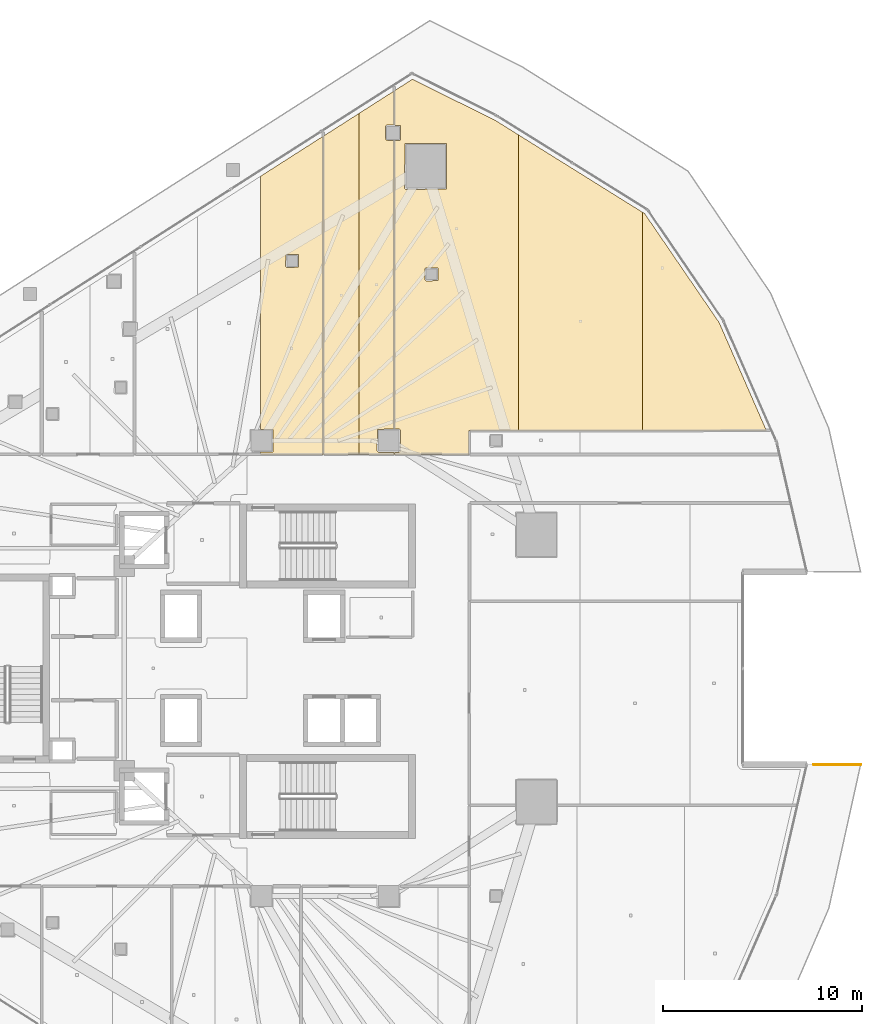
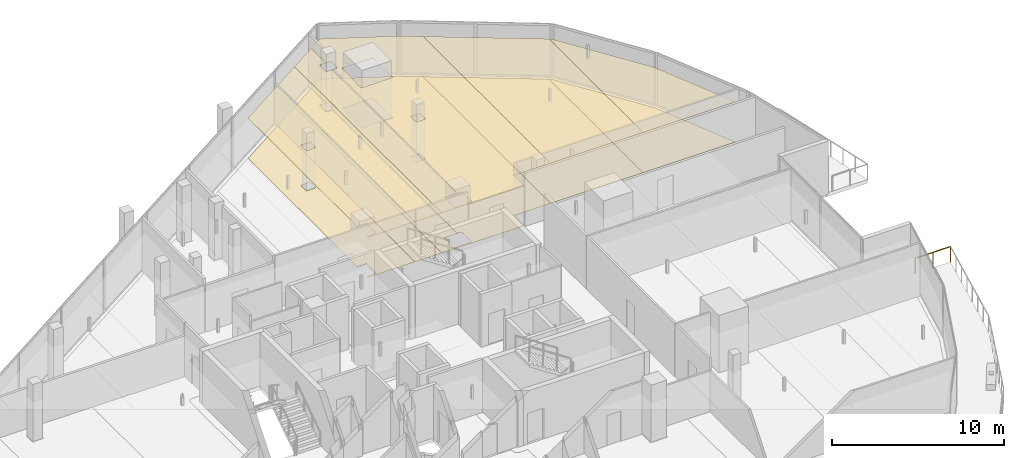
# One storey, part 38 of 38: 12 coverings, 1 railing.
"""IFC4 building model written with IfcOpenShell, lengths in metres."""

from ifc_helpers import new_model, si_unit, direction, frame, origin, origin_2d, place, context, subcontext, project, spatial, polyline, circle, outline, extrude, material, layer, layer_set, type_object, element, save


model = new_model("IFC4")

# Units and contexts
model_context = context("Model", 3, precision=1e-05, world=origin(), true_north=direction((0.0, 1.0)))
body_context = subcontext(model_context, "Body", "Model", "MODEL_VIEW")
ifc_project = project(units=[si_unit("LENGTHUNIT", "METRE"), si_unit("AREAUNIT", "SQUARE_METRE"), si_unit("VOLUMEUNIT", "CUBIC_METRE"), si_unit("PLANEANGLEUNIT", "RADIAN"), si_unit("MASSUNIT", "GRAM", prefix="KILO")], contexts=[model_context])

# Site, building, storey
site_placement = place(None, origin())
site = spatial("IfcSite", under=ifc_project, at=site_placement, CompositionType="ELEMENT")
building_placement = place(site_placement, origin())
building = spatial("IfcBuilding", under=site, at=building_placement, Name="Qorvath Tower", CompositionType="ELEMENT")
storey_placement = place(building_placement, frame((0.0, 0.0, 146.25)))
storey = spatial("IfcBuildingStorey", under=building, at=storey_placement, Name="L33", CompositionType="ELEMENT", Elevation=146.25)

# Coverings
ifc_material_1 = material(Name="Acoustic mineral fibre ceiling tile", Category="gypsum")
ifc_layer_1 = layer(ifc_material_1, 0.030029296875)
ifc_layer_set_1 = layer_set([ifc_layer_1], Name="COV-CEIL")
covering_type_1 = type_object("IfcCoveringType", Name="COV-CEIL", PredefinedType="CEILING", material=ifc_layer_set_1)
covering_1_placement = place(storey_placement, frame((0.0, 0.0, 2.85009765625)))
element("IfcCovering", 1, at=covering_1_placement, inside=storey, type_object=covering_type_1, Name="L33 Suspended Acoustic Ceiling 015", PredefinedType="CEILING", context=body_context, shape_type="SweptSolid", body=[
    extrude(outline(polyline([(-20.510009765625, 26.754150390625), (-23.658203125, 24.740478515625), (-23.658203125, 12.017333984375), (-23.032470703125, 12.017333984375), (-23.032470703125, 10.882568359375), (-23.658203125, 10.87255859375), (-23.658203125, 10.762939453125), (-20.504150390625, 10.762939453125), (-20.510009765625, 26.754150390625)]), holes=[polyline([(-22.38818359375, 20.219970703125), (-22.37060546875, 20.812255859375), (-21.73583984375, 20.812255859375), (-21.73583984375, 20.177490234375), (-22.328125, 20.159912109375), (-22.38818359375, 20.219970703125)])]), origin(), (0.0, 0.0, 1.0), 0.030029296875),
])
covering_2_placement = place(storey_placement, frame((0.0, 0.0, 2.85009765625)))
element("IfcCovering", 2, at=covering_2_placement, inside=storey, type_object=covering_type_1, Name="L33 Suspended Acoustic Ceiling 016", PredefinedType="CEILING", context=body_context, shape_type="SweptSolid", body=[
    extrude(outline(polyline([(-18.697021484375, 10.762939453125), (-18.697021484375, 27.907958984375), (-20.491943359375, 26.7607421875), (-20.486328125, 10.762939453125), (-18.697021484375, 10.762939453125)])), origin(), (0.0, 0.0, 1.0), 0.030029296875),
])
covering_3_placement = place(storey_placement, frame((0.0, 0.0, 2.85009765625)))
element("IfcCovering", 3, at=covering_3_placement, inside=storey, type_object=covering_type_1, Name="L33 Suspended Acoustic Ceiling 017", PredefinedType="CEILING", context=body_context, shape_type="SweptSolid", body=[
    extrude(outline(polyline([(-17.30615234375, 27.314208984375), (-16.923583984375, 27.314208984375), (-16.923583984375, 29.04150390625), (-18.697021484375, 27.907958984375), (-18.697021484375, 10.762939453125), (-16.923583984375, 10.762939453125), (-16.923583984375, 10.864990234375), (-17.72509765625, 10.864990234375), (-17.784912109375, 10.925048828125), (-17.767333984375, 12.017333984375), (-16.923583984375, 12.034912109375), (-16.923583984375, 26.544189453125), (-17.3486328125, 26.561767578125), (-17.3662109375, 27.254150390625), (-17.30615234375, 27.314208984375)])), origin(), (0.0, 0.0, 1.0), 0.030029296875),
])
covering_4_placement = place(storey_placement, frame((0.0, 0.0, 2.85009765625)))
element("IfcCovering", 4, at=covering_4_placement, inside=storey, type_object=covering_type_1, Name="L33 Suspended Acoustic Ceiling 018", PredefinedType="CEILING", context=body_context, shape_type="SweptSolid", body=[
    extrude(outline(polyline([(-13.153564453125, 11.95458984375), (-10.674072265625, 11.95703125), (-10.674072265625, 26.82861328125), (-11.8681640625, 27.573974609375), (-16.012451171875, 29.623779296875), (-16.90576171875, 29.052978515625), (-16.90576171875, 27.314208984375), (-16.61376953125, 27.296630859375), (-16.59619140625, 26.604248046875), (-16.65625, 26.544189453125), (-16.90576171875, 26.544189453125), (-16.90576171875, 12.034912109375), (-16.675048828125, 12.034912109375), (-16.614990234375, 11.97509765625), (-16.614990234375, 10.925048828125), (-16.675048828125, 10.864990234375), (-16.90576171875, 10.864990234375), (-16.90576171875, 10.762939453125), (-13.155029296875, 10.762939453125), (-13.153564453125, 11.95458984375)]), holes=[polyline([(-16.404296875, 24.14599609375), (-16.38671875, 26.388427734375), (-14.3017578125, 26.388427734375), (-14.3017578125, 24.103759765625), (-16.34423828125, 24.086181640625), (-16.404296875, 24.14599609375)]), polyline([(-15.381103515625, 19.543212890625), (-15.363525390625, 20.135498046875), (-14.728759765625, 20.135498046875), (-14.728759765625, 19.500732421875), (-15.321044921875, 19.483154296875), (-15.381103515625, 19.543212890625)])]), origin(), (0.0, 0.0, 1.0), 0.030029296875),
])
covering_5_placement = place(storey_placement, frame((0.0, 0.0, 2.85009765625)))
element("IfcCovering", 5, at=covering_5_placement, inside=storey, type_object=covering_type_1, Name="L33 Suspended Acoustic Ceiling 019", PredefinedType="CEILING", context=body_context, shape_type="SweptSolid", body=[
    extrude(outline(polyline([(-10.674072265625, 26.82861328125), (-10.674072265625, 11.95703125), (-4.442626953125, 11.962890625), (-4.442626953125, 22.939453125), (-10.674072265625, 26.82861328125)])), origin(), (0.0, 0.0, 1.0), 0.030029296875),
])
covering_6_placement = place(storey_placement, frame((0.0, 0.0, 2.85009765625)))
element("IfcCovering", 6, at=covering_6_placement, inside=storey, type_object=covering_type_1, Name="L33 Suspended Acoustic Ceiling 020", PredefinedType="CEILING", context=body_context, shape_type="SweptSolid", body=[
    extrude(outline(polyline([(-4.442626953125, 22.939453125), (-4.442626953125, 11.962890625), (1.7890625, 11.96875), (-0.58447265625, 17.39208984375), (-4.326904296875, 22.8671875), (-4.442626953125, 22.939453125)])), origin(), (0.0, 0.0, 1.0), 0.030029296875),
])
ifc_material_2 = material(Name="Low-VOC modular carpet tile", Category="textile")
ifc_layer_2 = layer(ifc_material_2, 0.014892578125)
ifc_layer_set_2 = layer_set([ifc_layer_2], Name="COV-FLOOR-CPT")
covering_type_2 = type_object("IfcCoveringType", Name="COV-FLOOR-CPT", PredefinedType="FLOORING", material=ifc_layer_set_2)
covering_7_placement = place(storey_placement, origin())
element("IfcCovering", 7, at=covering_7_placement, inside=storey, type_object=covering_type_2, Name="L33 Floor Finish 015", PredefinedType="FLOORING", context=body_context, shape_type="SweptSolid", body=[
    extrude(outline(polyline([(-20.510009765625, 26.754150390625), (-23.658203125, 24.740478515625), (-23.658203125, 12.017333984375), (-23.032470703125, 12.017333984375), (-23.032470703125, 10.882568359375), (-23.658203125, 10.87255859375), (-23.658203125, 10.762939453125), (-20.504150390625, 10.762939453125), (-20.510009765625, 26.754150390625)]), holes=[polyline([(-22.38818359375, 20.219970703125), (-22.37060546875, 20.812255859375), (-21.73583984375, 20.812255859375), (-21.73583984375, 20.177490234375), (-22.328125, 20.159912109375), (-22.38818359375, 20.219970703125)])]), origin(), (0.0, 0.0, 1.0), 0.014892578125),
])
covering_8_placement = place(storey_placement, origin())
element("IfcCovering", 8, at=covering_8_placement, inside=storey, type_object=covering_type_2, Name="L33 Floor Finish 016", PredefinedType="FLOORING", context=body_context, shape_type="SweptSolid", body=[
    extrude(outline(polyline([(-18.697021484375, 10.762939453125), (-18.697021484375, 27.907958984375), (-20.491943359375, 26.7607421875), (-20.486328125, 10.762939453125), (-18.697021484375, 10.762939453125)])), origin(), (0.0, 0.0, 1.0), 0.014892578125),
])
covering_9_placement = place(storey_placement, origin())
element("IfcCovering", 9, at=covering_9_placement, inside=storey, type_object=covering_type_2, Name="L33 Floor Finish 017", PredefinedType="FLOORING", context=body_context, shape_type="SweptSolid", body=[
    extrude(outline(polyline([(-17.30615234375, 27.314208984375), (-16.923583984375, 27.314208984375), (-16.923583984375, 29.04150390625), (-18.697021484375, 27.907958984375), (-18.697021484375, 10.762939453125), (-16.923583984375, 10.762939453125), (-16.923583984375, 10.864990234375), (-17.72509765625, 10.864990234375), (-17.784912109375, 10.925048828125), (-17.767333984375, 12.017333984375), (-16.923583984375, 12.034912109375), (-16.923583984375, 26.544189453125), (-17.3486328125, 26.561767578125), (-17.3662109375, 27.254150390625), (-17.30615234375, 27.314208984375)])), origin(), (0.0, 0.0, 1.0), 0.014892578125),
])
covering_10_placement = place(storey_placement, origin())
element("IfcCovering", 10, at=covering_10_placement, inside=storey, type_object=covering_type_2, Name="L33 Floor Finish 018", PredefinedType="FLOORING", context=body_context, shape_type="SweptSolid", body=[
    extrude(outline(polyline([(-13.153564453125, 11.95458984375), (-10.674072265625, 11.95703125), (-10.674072265625, 26.82861328125), (-11.8681640625, 27.573974609375), (-16.012451171875, 29.623779296875), (-16.90576171875, 29.052978515625), (-16.90576171875, 27.314208984375), (-16.61376953125, 27.296630859375), (-16.59619140625, 26.604248046875), (-16.65625, 26.544189453125), (-16.90576171875, 26.544189453125), (-16.90576171875, 12.034912109375), (-16.675048828125, 12.034912109375), (-16.614990234375, 11.97509765625), (-16.614990234375, 10.925048828125), (-16.675048828125, 10.864990234375), (-16.90576171875, 10.864990234375), (-16.90576171875, 10.762939453125), (-13.155029296875, 10.762939453125), (-13.153564453125, 11.95458984375)]), holes=[polyline([(-16.404296875, 24.14599609375), (-16.38671875, 26.388427734375), (-14.3017578125, 26.388427734375), (-14.3017578125, 24.103759765625), (-16.34423828125, 24.086181640625), (-16.404296875, 24.14599609375)]), polyline([(-15.381103515625, 19.543212890625), (-15.363525390625, 20.135498046875), (-14.728759765625, 20.135498046875), (-14.728759765625, 19.500732421875), (-15.321044921875, 19.483154296875), (-15.381103515625, 19.543212890625)])]), origin(), (0.0, 0.0, 1.0), 0.014892578125),
])
covering_11_placement = place(storey_placement, origin())
element("IfcCovering", 11, at=covering_11_placement, inside=storey, type_object=covering_type_2, Name="L33 Floor Finish 019", PredefinedType="FLOORING", context=body_context, shape_type="SweptSolid", body=[
    extrude(outline(polyline([(-10.674072265625, 26.82861328125), (-10.674072265625, 11.95703125), (-4.442626953125, 11.962890625), (-4.442626953125, 22.939453125), (-10.674072265625, 26.82861328125)])), origin(), (0.0, 0.0, 1.0), 0.014892578125),
])
covering_12_placement = place(storey_placement, origin())
element("IfcCovering", 12, at=covering_12_placement, inside=storey, type_object=covering_type_2, Name="L33 Floor Finish 020", PredefinedType="FLOORING", context=body_context, shape_type="SweptSolid", body=[
    extrude(outline(polyline([(-4.442626953125, 22.939453125), (-4.442626953125, 11.962890625), (1.7890625, 11.96875), (-0.58447265625, 17.39208984375), (-4.326904296875, 22.8671875), (-4.442626953125, 22.939453125)])), origin(), (0.0, 0.0, 1.0), 0.014892578125),
])

# Railing
ifc_material_3 = material(Name="Laminated safety glass and stainless steel AISI 316", Category="steel")
railing_type = type_object("IfcRailingType", Name="RL-EXT-GRD", PredefinedType="GUARDRAIL", material=ifc_material_3)
railing_placement = place(storey_placement, frame((4.1767578125, -4.83837890625, 0.0)))
element("IfcRailing", 13, at=railing_placement, inside=storey, type_object=railing_type, Name="Loggia Perimeter Guardrail L33-1.2", PredefinedType="GUARDRAIL", context=body_context, shape_type="SweptSolid", body=[
    extrude(circle(Radius=0.02392578125, at=origin_2d()), frame((0.0, 0.0, 1.09619140625), z_axis=(1.0, 0.0, 0.0), x_axis=(0.0, 1.0, 0.0)), (0.0, 0.0, 1.0), 2.36669921875),
    extrude(circle(Radius=0.02099609375, at=origin_2d()), origin(), (0.0, 0.0, 1.0), 1.072021484375),
    extrude(circle(Radius=0.02099609375, at=origin_2d()), frame((1.183349609375, 0.0, 0.0)), (0.0, 0.0, 1.0), 1.072021484375),
    extrude(circle(Radius=0.02099609375, at=origin_2d()), frame((2.36669921875, 0.0, 0.0)), (0.0, 0.0, 1.0), 1.072021484375),
])

save(model, "model.ifc")
